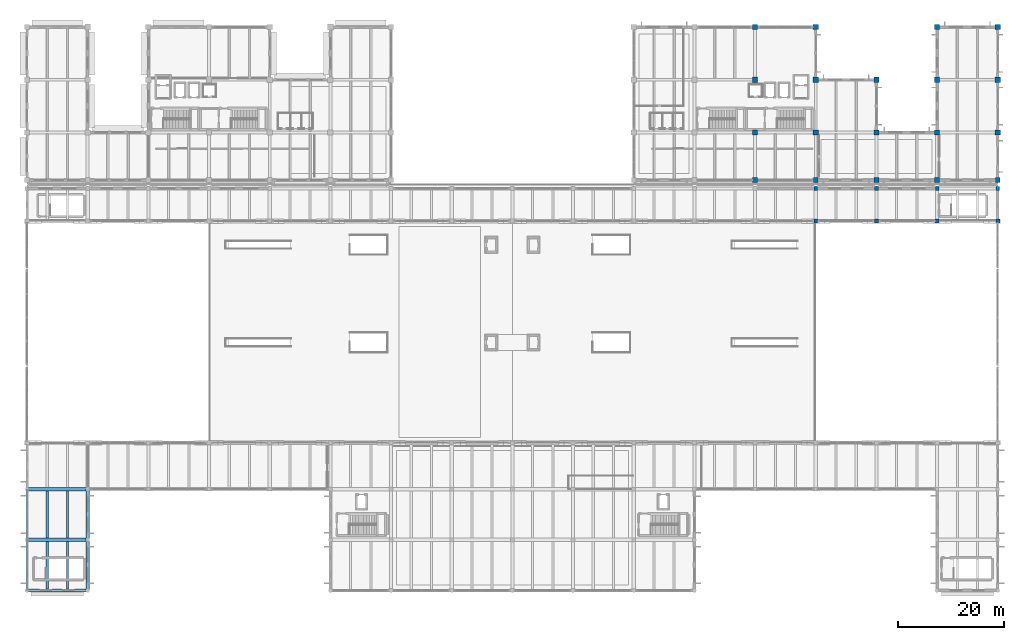
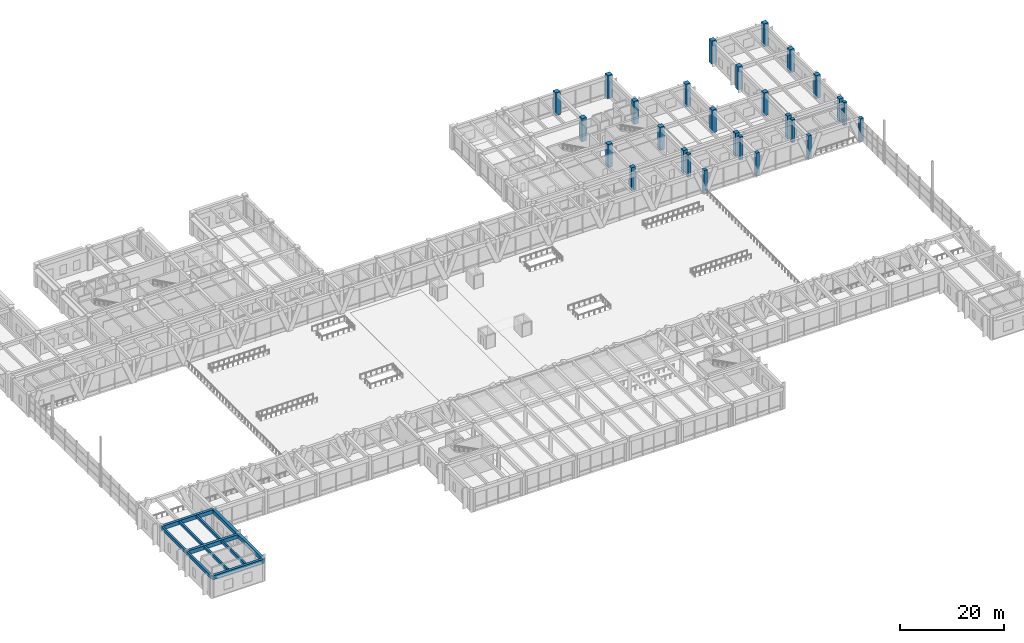
# One storey, part 6 of 148: 27 columns, 11 beams.
"""IFC4 building model written with IfcOpenShell, lengths in metres."""

from ifc_helpers import new_model, si_unit, direction, frame, origin, origin_2d, place, context, subcontext, project, spatial, rectangle, extrude, material, material_profile, profile_set, type_object, element, save


model = new_model("IFC4")

# Units and contexts
model_context = context("Model", 3, precision=1e-05, world=origin(), true_north=direction((0.0, 1.0)))
body_context = subcontext(model_context, "Body", "Model", "MODEL_VIEW")
ifc_project = project(units=[si_unit("LENGTHUNIT", "METRE"), si_unit("AREAUNIT", "SQUARE_METRE"), si_unit("VOLUMEUNIT", "CUBIC_METRE"), si_unit("PLANEANGLEUNIT", "RADIAN"), si_unit("MASSUNIT", "GRAM", prefix="KILO")], contexts=[model_context])

# Site, building, storey
site_placement = place(None, origin())
site = spatial("IfcSite", under=ifc_project, at=site_placement, CompositionType="ELEMENT")
building_placement = place(site_placement, origin())
building = spatial("IfcBuilding", under=site, at=building_placement, Name="Ologun Quay Terminus", CompositionType="ELEMENT")
storey_placement = place(building_placement, frame((0.0, 0.0, 8.39990234375)))
storey = spatial("IfcBuildingStorey", under=building, at=storey_placement, Name="L02", CompositionType="ELEMENT", Elevation=8.39990234375)

# Columns
ifc_material_1 = material(Name="Concrete C45/55", Category="concrete")
ifc_material_profile_1 = material_profile(ifc_material_1, rectangle(XDim=0.89990234375, YDim=0.89990234375, at=origin_2d()), Name="RC 900x900")
ifc_profile_set_1 = profile_set([ifc_material_profile_1], Name="Concrete C45/55")
column_type_1 = type_object("IfcColumnType", Name="Courtyard Wing Mid Column 900x900", PredefinedType="COLUMN", material=ifc_profile_set_1)
for number, where, z_axis, x_axis, name in (
    (1, (138.0, 85.800048828125, 0.0), (0.0, 0.0, 1.0), (1.0, 0.0, 0.0), "C3 Column 13/G2 L02"),
    (2, (149.5, 85.800048828125, 0.0), (0.0, 0.0, 1.0), (1.0, 0.0, 0.0), "C3 Column 14/G2 L02"),
    (3, (161.0, 85.800048828125, 0.0), (0.0, 0.0, 1.0), (1.0, 0.0, 0.0), "C3 Column 15/G2 L02"),
    (4, (172.5, 85.800048828125, 0.0), (0.0, 0.0, 1.0), (1.0, 0.0, 0.0), "C3 Column 16/G2 L02"),
    (5, (184.0, 85.800048828125, 0.0), (0.0, 0.0, 1.0), (1.0, 0.0, 0.0), "C3 Column 17/G2 L02"),
):
    element("IfcColumn", number, at=place(storey_placement, frame(where, z_axis=z_axis, x_axis=x_axis)), inside=storey, type_object=column_type_1, Name=name, PredefinedType="COLUMN", context=body_context, shape_type="SweptSolid", body=[
        extrude(rectangle(XDim=0.89990234375, YDim=0.89990234375, at=origin_2d()), origin(), (0.0, 0.0, 1.0), 5.400146484375),
    ])
ifc_material_2 = material(Name="Concrete C45/55", Category="concrete")
ifc_material_profile_2 = material_profile(ifc_material_2, rectangle(XDim=1.0, YDim=1.0, at=origin_2d()), Name="RC 1000x1000")
ifc_profile_set_2 = profile_set([ifc_material_profile_2], Name="Concrete C45/55")
column_type_2 = type_object("IfcColumnType", Name="Courtyard Wing Mid-Lower Column 1000x1000", PredefinedType="COLUMN", material=ifc_profile_set_2)
for number, where, z_axis, x_axis, name in (
    (6, (138.0, 94.800048828125, 0.0), (0.0, 0.0, 1.0), (1.0, 0.0, 0.0), "C2 Column 13/H L02"),
    (7, (138.0, 104.800048828125, 0.0), (0.0, 0.0, 1.0), (1.0, 0.0, 0.0), "C2 Column 13/J L02"),
    (8, (138.0, 114.800048828125, 0.0), (0.0, 0.0, 1.0), (1.0, 0.0, 0.0), "C2 Column 13/K L02"),
    (9, (149.5, 94.800048828125, 0.0), (0.0, 0.0, 1.0), (1.0, 0.0, 0.0), "C2 Column 14/H L02"),
    (10, (149.5, 104.800048828125, 0.0), (0.0, 0.0, 1.0), (1.0, 0.0, 0.0), "C2 Column 14/J L02"),
    (11, (149.5, 114.800048828125, 0.0), (0.0, 0.0, 1.0), (1.0, 0.0, 0.0), "C2 Column 14/K L02"),
    (12, (161.0, 94.800048828125, 0.0), (0.0, 0.0, 1.0), (1.0, 0.0, 0.0), "C2 Column 15/H L02"),
    (13, (161.0, 104.800048828125, 0.0), (0.0, 0.0, 1.0), (1.0, 0.0, 0.0), "C2 Column 15/J L02"),
    (14, (172.5, 94.800048828125, 0.0), (0.0, 0.0, 1.0), (1.0, 0.0, 0.0), "C2 Column 16/H L02"),
    (15, (172.5, 104.800048828125, 0.0), (0.0, 0.0, 1.0), (1.0, 0.0, 0.0), "C2 Column 16/J L02"),
    (16, (172.5, 114.800048828125, 0.0), (0.0, 0.0, 1.0), (1.0, 0.0, 0.0), "C2 Column 16/K L02"),
    (17, (184.0, 94.800048828125, 0.0), (0.0, 0.0, 1.0), (1.0, 0.0, 0.0), "C2 Column 17/H L02"),
    (18, (184.0, 104.800048828125, 0.0), (0.0, 0.0, 1.0), (1.0, 0.0, 0.0), "C2 Column 17/J L02"),
    (19, (184.0, 114.800048828125, 0.0), (0.0, 0.0, 1.0), (1.0, 0.0, 0.0), "C2 Column 17/K L02"),
):
    element("IfcColumn", number, at=place(storey_placement, frame(where, z_axis=z_axis, x_axis=x_axis)), inside=storey, type_object=column_type_2, Name=name, PredefinedType="COLUMN", context=body_context, shape_type="SweptSolid", body=[
        extrude(rectangle(XDim=1.0, YDim=1.0, at=origin_2d()), origin(), (0.0, 0.0, 1.0), 5.400146484375),
    ])
ifc_material_3 = material(Name="Concrete C45/55", Category="concrete")
ifc_material_profile_3 = material_profile(ifc_material_3, rectangle(XDim=0.75, YDim=0.75, at=origin_2d()), Name="RC 750x750")
ifc_profile_set_3 = profile_set([ifc_material_profile_3], Name="Concrete C45/55")
column_type_3 = type_object("IfcColumnType", Name="Station Arch Pier Stem 750x750", PredefinedType="COLUMN", material=ifc_profile_set_3)
for number, where, z_axis, x_axis, name in (
    (20, (149.5, 78.0, 0.0), (0.0, 0.0, 1.0), (1.0, 0.0, 0.0), "C5 Column 14/F L02"),
    (21, (161.0, 78.0, 0.0), (0.0, 0.0, 1.0), (1.0, 0.0, 0.0), "C5 Column 15/F L02"),
    (22, (172.5, 78.0, 0.0), (0.0, 0.0, 1.0), (1.0, 0.0, 0.0), "C5 Column 16/F L02"),
    (23, (184.0, 78.0, 0.0), (0.0, 0.0, 1.0), (1.0, 0.0, 0.0), "C5 Column 17/F L02"),
):
    element("IfcColumn", number, at=place(storey_placement, frame(where, z_axis=z_axis, x_axis=x_axis)), inside=storey, type_object=column_type_3, Name=name, PredefinedType="COLUMN", context=body_context, shape_type="SweptSolid", body=[
        extrude(rectangle(XDim=0.75, YDim=0.75, at=origin_2d()), origin(), (0.0, 0.0, 1.0), 5.400146484375),
    ])
ifc_material_4 = material(Name="Concrete C40/50", Category="concrete")
ifc_material_profile_4 = material_profile(ifc_material_4, rectangle(XDim=0.699951171875, YDim=0.699951171875, at=origin_2d()), Name="RC 700x700")
ifc_profile_set_4 = profile_set([ifc_material_profile_4], Name="Concrete C40/50")
column_type_4 = type_object("IfcColumnType", Name="Station Concourse Column 700x700", PredefinedType="COLUMN", material=ifc_profile_set_4)
for number, where, z_axis, x_axis, name in (
    (24, (149.5, 84.199951171875, 0.0), (0.0, 0.0, 1.0), (1.0, 0.0, 0.0), "C6 Column 14/G1 L02"),
    (25, (161.0, 84.199951171875, 0.0), (0.0, 0.0, 1.0), (1.0, 0.0, 0.0), "C6 Column 15/G1 L02"),
    (26, (172.5, 84.199951171875, 0.0), (0.0, 0.0, 1.0), (1.0, 0.0, 0.0), "C6 Column 16/G1 L02"),
    (27, (184.0, 84.199951171875, 0.0), (0.0, 0.0, 1.0), (1.0, 0.0, 0.0), "C6 Column 17/G1 L02"),
):
    element("IfcColumn", number, at=place(storey_placement, frame(where, z_axis=z_axis, x_axis=x_axis)), inside=storey, type_object=column_type_4, Name=name, PredefinedType="COLUMN", context=body_context, shape_type="SweptSolid", body=[
        extrude(rectangle(XDim=0.699951171875, YDim=0.699951171875, at=origin_2d()), origin(), (0.0, 0.0, 1.0), 5.400146484375),
    ])

# Beams
ifc_material_5 = material(Name="Concrete C40/50", Category="concrete")
ifc_material_profile_5 = material_profile(ifc_material_5, rectangle(XDim=0.449951171875, YDim=0.699951171875, at=origin_2d()), Name="RC 450x700")
ifc_profile_set_5 = profile_set([ifc_material_profile_5], Name="Concrete C40/50")
beam_type_1 = type_object("IfcBeamType", Name="Perimeter Spandrel Beam 450x700", PredefinedType="SPANDREL", material=ifc_profile_set_5)
beam_1_placement = place(storey_placement, frame((0.0, 8.0, 4.800048828125), z_axis=(0.0, 1.0, 0.0), x_axis=(-1.0, 0.0, 0.0)))
element("IfcBeam", 28, at=beam_1_placement, inside=storey, type_object=beam_type_1, Name="SP1 Beam 1/B L02", PredefinedType="SPANDREL", context=body_context, shape_type="SweptSolid", body=[
    extrude(rectangle(XDim=0.449951171875, YDim=0.699951171875, at=origin_2d()), origin(), (0.0, 0.0, 1.0), 9.60009765625),
])
beam_2_placement = place(storey_placement, frame((0.0, 17.60009765625, 4.800048828125), z_axis=(0.0, 1.0, 0.0), x_axis=(-1.0, 0.0, 0.0)))
element("IfcBeam", 29, at=beam_2_placement, inside=storey, type_object=beam_type_1, Name="SP1 Beam 1/C L02", PredefinedType="SPANDREL", context=body_context, shape_type="SweptSolid", body=[
    extrude(rectangle(XDim=0.449951171875, YDim=0.699951171875, at=origin_2d()), origin(), (0.0, 0.0, 1.0), 9.599853515625),
])
ifc_material_6 = material(Name="Concrete C40/50", Category="concrete")
ifc_material_profile_6 = material_profile(ifc_material_6, rectangle(XDim=0.60009765625, YDim=0.89990234375, at=origin_2d()), Name="RC 600x900")
ifc_profile_set_6 = profile_set([ifc_material_profile_6], Name="Concrete C40/50")
beam_type_2 = type_object("IfcBeamType", Name="Station Frame Girder 600x900", PredefinedType="BEAM", material=ifc_profile_set_6)
for number, where, z_axis, x_axis, name in (
    (30, (0.0, 8.0, 4.7001953125), (1.0, 0.0, 0.0), (0.0, 1.0, 0.0), "B3 Beam 1/B L02"),
    (31, (0.0, 17.60009765625, 4.7001953125), (1.0, 0.0, 0.0), (0.0, 1.0, 0.0), "B3 Beam 1/C L02"),
    (32, (0.0, 27.199951171875, 4.7001953125), (1.0, 0.0, 0.0), (0.0, 1.0, 0.0), "B3 Beam 1/D L02"),
):
    element("IfcBeam", number, at=place(storey_placement, frame(where, z_axis=z_axis, x_axis=x_axis)), inside=storey, type_object=beam_type_2, Name=name, PredefinedType="BEAM", context=body_context, shape_type="SweptSolid", body=[
        extrude(rectangle(XDim=0.60009765625, YDim=0.89990234375, at=origin_2d()), origin(), (0.0, 0.0, 1.0), 11.5),
    ])
beam_3_placement = place(storey_placement, frame((11.5, 8.0, 4.7001953125), z_axis=(0.0, 1.0, 0.0), x_axis=(-1.0, 0.0, 0.0)))
element("IfcBeam", 33, at=beam_3_placement, inside=storey, type_object=beam_type_2, Name="B3 Beam 2/B L02", PredefinedType="BEAM", context=body_context, shape_type="SweptSolid", body=[
    extrude(rectangle(XDim=0.60009765625, YDim=0.89990234375, at=origin_2d()), origin(), (0.0, 0.0, 1.0), 9.60009765625),
])
beam_4_placement = place(storey_placement, frame((11.5, 17.60009765625, 4.7001953125), z_axis=(0.0, 1.0, 0.0), x_axis=(-1.0, 0.0, 0.0)))
element("IfcBeam", 34, at=beam_4_placement, inside=storey, type_object=beam_type_2, Name="B3 Beam 2/C L02", PredefinedType="BEAM", context=body_context, shape_type="SweptSolid", body=[
    extrude(rectangle(XDim=0.60009765625, YDim=0.89990234375, at=origin_2d()), origin(), (0.0, 0.0, 1.0), 9.599853515625),
])
ifc_material_7 = material(Name="Concrete C40/50", Category="concrete")
ifc_material_profile_7 = material_profile(ifc_material_7, rectangle(XDim=0.39990234375, YDim=0.64990234375, at=origin_2d()), Name="RC 400x650")
ifc_profile_set_7 = profile_set([ifc_material_profile_7], Name="Concrete C40/50")
beam_type_3 = type_object("IfcBeamType", Name="Station Secondary Joist 400x650", PredefinedType="JOIST", material=ifc_profile_set_7)
for number, where, z_axis, x_axis, name in (
    (35, (3.833251953125, 8.300048828125, 4.8251953125), (0.0, 1.0, 0.0), (-1.0, 0.0, 0.0), "J1 Beam 1/B L02"),
    (36, (7.666748046875, 8.300048828125, 4.8251953125), (0.0, 1.0, 0.0), (-1.0, 0.0, 0.0), "J1 Beam 1/B L02"),
    (37, (3.833251953125, 17.89990234375, 4.8251953125), (0.0, 1.0, 0.0), (-1.0, 0.0, 0.0), "J1 Beam 1/C L02"),
    (38, (7.666748046875, 17.89990234375, 4.8251953125), (0.0, 1.0, 0.0), (-1.0, 0.0, 0.0), "J1 Beam 1/C L02"),
):
    element("IfcBeam", number, at=place(storey_placement, frame(where, z_axis=z_axis, x_axis=x_axis)), inside=storey, type_object=beam_type_3, Name=name, PredefinedType="JOIST", context=body_context, shape_type="SweptSolid", body=[
        extrude(rectangle(XDim=0.39990234375, YDim=0.64990234375, at=origin_2d()), origin(), (0.0, 0.0, 1.0), 9.0),
    ])

save(model, "model.ifc")
